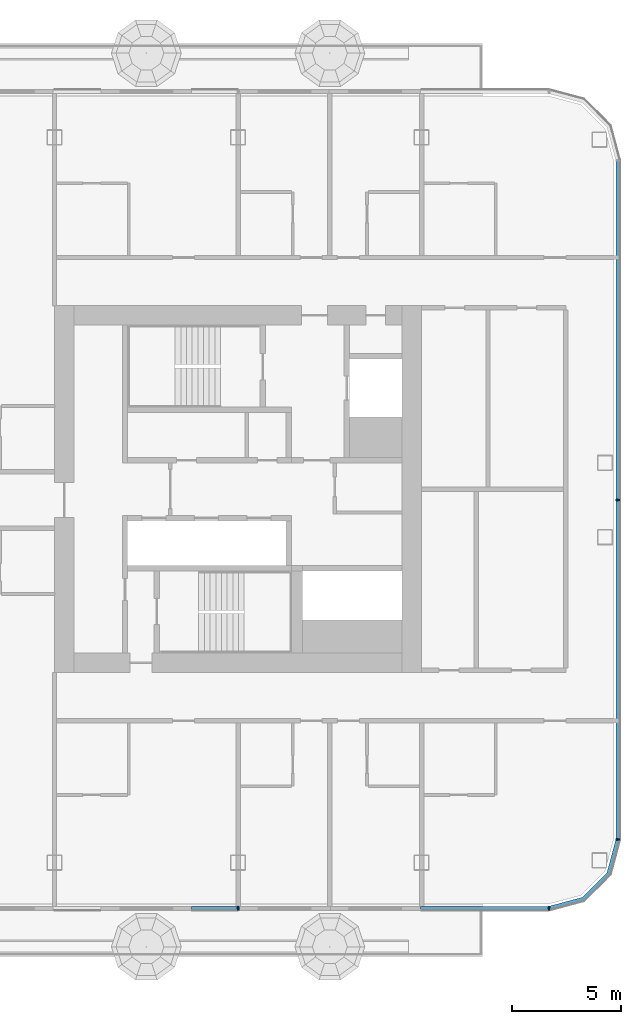
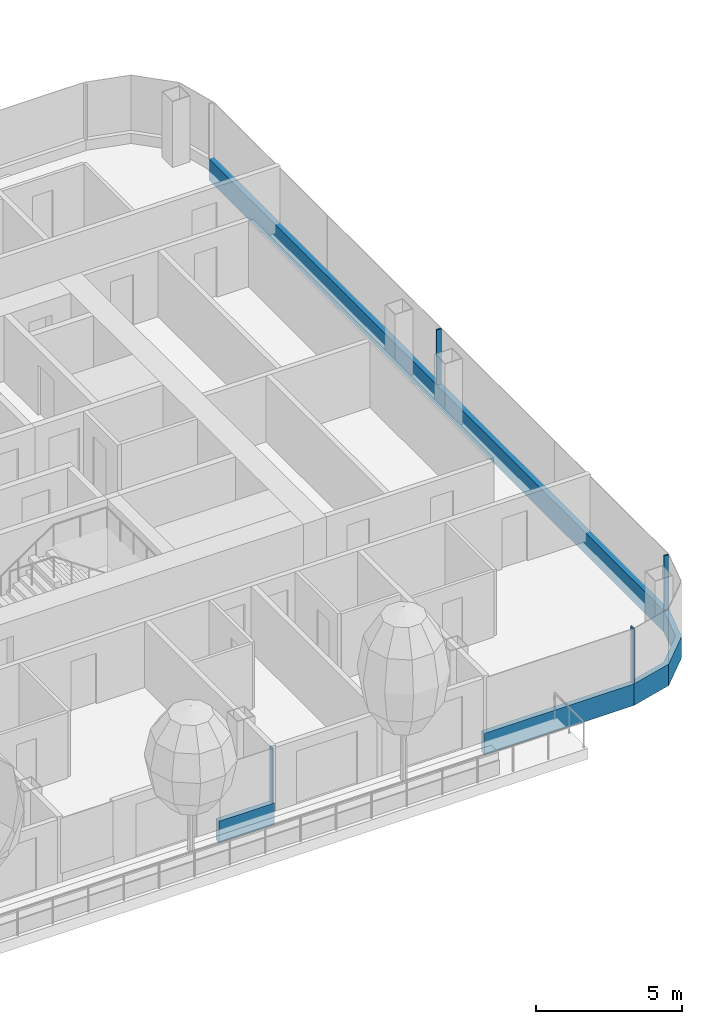
# One storey, part 7 of 30: 8 members, 3 elements without a shape of their own.
"""IFC4 building model written with IfcOpenShell, lengths in metres."""

import ifcopenshell
import ifcopenshell.guid

model = None  # the IFC model being written
_history = None  # IfcOwnerHistory: only IFC2X3 demands one
_inside = {}  # id of a spatial element -> (the spatial element, [elements in it])
_under = {}  # id of a project, library or spatial element -> (it, [spatial elements below it])
_declared = {}  # id of a project -> (the project, [libraries it declares])
_typed = {}  # id of a type object -> (the type object, [elements of that type])
_made_of = {}  # id of a material, layer set ... -> (it, [elements and type objects made of it])


def new_model(schema):
    """Start an empty IFC model of exactly this schema.

    Asked for "IFC4X3", IfcOpenShell would pick the latest addendum, in which some entities
    have other attributes; the version numbers below select the first issue.
    IFC2X3 requires an IfcOwnerHistory on every rooted entity: one is made here for all.
    """
    global model, _history
    if schema == "IFC4X3":
        model = ifcopenshell.file(schema_version=(4, 3, 0, 0))
    else:
        model = ifcopenshell.file(schema=schema)
    _inside.clear()
    _under.clear()
    _declared.clear()
    _typed.clear()
    _made_of.clear()
    _history = None
    if model.schema == "IFC2X3":
        org = make("IfcOrganization", Name="unknown")
        user = make(
            "IfcPersonAndOrganization",
            ThePerson=make("IfcPerson", FamilyName="unknown"),
            TheOrganization=org,
        )
        app = make(
            "IfcApplication",
            ApplicationDeveloper=org,
            Version="unknown",
            ApplicationFullName="unknown",
            ApplicationIdentifier="unknown",
        )
        _history = make(
            "IfcOwnerHistory",
            OwningUser=user,
            OwningApplication=app,
            ChangeAction="ADDED",
            CreationDate=0,
        )
    return model


def make(cls, **values):
    """One entity of the class cls with the attributes given. An attribute that is None is left unset."""
    return model.create_entity(
        cls, **{name: value for name, value in values.items() if value is not None}
    )


def rooted(cls, **values):
    """An entity with a GlobalId (a new one), such as an element, a storey or a relation."""
    return make(cls, GlobalId=ifcopenshell.guid.new(), OwnerHistory=_history, **values)


def si_unit(unit_type, name, prefix=None):
    """IfcSIUnit, for example si_unit("LENGTHUNIT", "METRE", prefix="MILLI")."""
    return make("IfcSIUnit", UnitType=unit_type, Prefix=prefix, Name=name)


def assignment(units):
    """IfcUnitAssignment: the units of a project."""
    return None if units is None else make("IfcUnitAssignment", Units=units)


def point(xyz):
    """IfcCartesianPoint."""
    return None if xyz is None else make("IfcCartesianPoint", Coordinates=xyz)


def direction(xyz):
    """IfcDirection."""
    return None if xyz is None else make("IfcDirection", DirectionRatios=xyz)


def frame(location, z_axis=None, x_axis=None):
    """IfcAxis2Placement3D, a coordinate frame: its origin and axes. An axis left out is left unset."""
    return make(
        "IfcAxis2Placement3D",
        Location=point(location),
        Axis=direction(z_axis),
        RefDirection=direction(x_axis),
    )


def frame_2d(location, x_axis=None):
    """IfcAxis2Placement2D, a coordinate frame in the plane: its origin and x axis."""
    return make(
        "IfcAxis2Placement2D", Location=point(location), RefDirection=direction(x_axis)
    )


def origin():
    """The frame at (0, 0, 0) with its axes left unset."""
    return frame((0.0, 0.0, 0.0))


def origin_2d():
    """The frame at (0, 0) in the plane with its x axis left unset."""
    return frame_2d((0.0, 0.0))


def place(relative_to, where):
    """IfcLocalPlacement: puts the frame where relative to a parent placement (None: the world)."""
    return make(
        "IfcLocalPlacement", PlacementRelTo=relative_to, RelativePlacement=where
    )


def context(
    kind, dimensions, precision=None, world=None, true_north=None, identifier=None
):
    """IfcGeometricRepresentationContext, for example the 3D "Model" context."""
    return make(
        "IfcGeometricRepresentationContext",
        ContextIdentifier=identifier,
        ContextType=kind,
        CoordinateSpaceDimension=dimensions,
        Precision=precision,
        WorldCoordinateSystem=world,
        TrueNorth=true_north,
    )


def subcontext(parent, identifier, kind, view, scale=None):
    """IfcGeometricRepresentationSubContext, for example "Body" below "Model"."""
    return make(
        "IfcGeometricRepresentationSubContext",
        ContextIdentifier=identifier,
        ContextType=kind,
        ParentContext=parent,
        TargetScale=scale,
        TargetView=view,
    )


def project(units=None, contexts=None):
    """IfcProject with its units and contexts."""
    return rooted(
        "IfcProject",
        Name="project",
        RepresentationContexts=contexts,
        UnitsInContext=assignment(units),
    )


def spatial(cls, under=None, at=None, **own):
    """A site, building, storey or space (cls), placed at a placement, below another one or the project."""
    s = rooted(cls, ObjectPlacement=at, **own)
    if under is not None:
        _under.setdefault(under.id(), (under, []))[1].append(s)
    return s


def polyline(points):
    """IfcPolyline through the points."""
    return make("IfcPolyline", Points=[point(p) for p in points])


def profile(cls, at=None, kind="AREA", **sizes):
    """A parametric profile (cls). Its sizes go by their IFC names, for example OverallWidth=200.0."""
    return make(cls, ProfileType=kind, Position=at, **sizes)


def rectangle(**sizes):
    """IfcRectangleProfileDef."""
    return profile("IfcRectangleProfileDef", **sizes)


def outline(outer, holes=None, kind="AREA"):
    """IfcArbitraryClosedProfileDef: a profile drawn as a closed curve; with holes, ...WithVoids."""
    if holes is None:
        return make("IfcArbitraryClosedProfileDef", ProfileType=kind, OuterCurve=outer)
    return make(
        "IfcArbitraryProfileDefWithVoids",
        ProfileType=kind,
        OuterCurve=outer,
        InnerCurves=holes,
    )


def extrude(swept, where, along, depth):
    """IfcExtrudedAreaSolid: the profile swept, set in the frame where, extruded along a direction by depth."""
    return make(
        "IfcExtrudedAreaSolid",
        SweptArea=swept,
        Position=where,
        ExtrudedDirection=direction(along),
        Depth=depth,
    )


def shape(context_of_items, identifier, shape_type, items):
    """IfcShapeRepresentation: the items that make up one representation, for example the "Body"."""
    return make(
        "IfcShapeRepresentation",
        ContextOfItems=context_of_items,
        RepresentationIdentifier=identifier,
        RepresentationType=shape_type,
        Items=items,
    )


def material(Name=None, Category=None):
    """IfcMaterial."""
    return make("IfcMaterial", Name=Name, Category=Category)


def layer(
    of_material, thickness, ventilated=None, Name=None, Category=None, Priority=None
):
    """IfcMaterialLayer: one layer of a wall or slab, of a material (None: an air gap)."""
    return make(
        "IfcMaterialLayer",
        Material=of_material,
        LayerThickness=thickness,
        IsVentilated=ventilated,
        Name=Name,
        Category=Category,
        Priority=Priority,
    )


def layer_set(layers, Name=None):
    """IfcMaterialLayerSet."""
    return make("IfcMaterialLayerSet", MaterialLayers=layers, LayerSetName=Name)


def material_profile(
    of_material, cross_section, Name=None, Category=None, Priority=None
):
    """IfcMaterialProfile: a cross section and its material."""
    return make(
        "IfcMaterialProfile",
        Name=Name,
        Material=of_material,
        Profile=cross_section,
        Priority=Priority,
        Category=Category,
    )


def profile_set(profiles, Name=None, composite=None):
    """IfcMaterialProfileSet."""
    return make(
        "IfcMaterialProfileSet",
        Name=Name,
        MaterialProfiles=profiles,
        CompositeProfile=composite,
    )


def made_of(thing, what):
    """Note that an element or type object is made of a material, layer set ...; save() writes the relation."""
    if what is not None:
        _made_of.setdefault(what.id(), (what, []))[1].append(thing)
    return thing


def type_object(cls, material=None, **own):
    """A type object (cls), such as IfcWallType, which elements share."""
    return made_of(rooted(cls, **own), material)


def element(
    cls,
    number,
    at=None,
    inside=None,
    cuts=None,
    type_object=None,
    material=None,
    context=None,
    identifier="Body",
    shape_type=None,
    held_by="IfcProductDefinitionShape",
    body=None,
    shapes=None,
    **own,
):
    """One element of the class cls, such as IfcWall. Its Tag is "e" and its number.

    at: its placement. inside: the storey or other place that contains it. cuts: it is an
    opening in that element (IfcRelVoidsElement). A single representation is given by context,
    identifier, shape_type and body (its items); several are given by shapes. held_by: the class
    of the entity that holds the representations. save() writes the other relations.
    """
    e = rooted(cls, Tag="e%d" % number, ObjectPlacement=at, **own)
    if body is not None:
        shapes = [shape(context, identifier, shape_type, body)]
    if shapes is not None:
        e.Representation = make(held_by, Representations=shapes)
    if inside is not None:
        _inside.setdefault(inside.id(), (inside, []))[1].append(e)
    if cuts is not None:
        rooted(
            "IfcRelVoidsElement", RelatingBuildingElement=cuts, RelatedOpeningElement=e
        )
    if type_object is not None:
        _typed.setdefault(type_object.id(), (type_object, []))[1].append(e)
    return made_of(e, material)


def aggregate(whole, parts):
    """IfcRelAggregates: a whole, such as a stair, and the parts it consists of."""
    return rooted("IfcRelAggregates", RelatingObject=whole, RelatedObjects=parts)


def save(model, path):
    """Write the relations noted so far, then the file.

    IfcRelAggregates (storeys below a building ...), IfcRelContainedInSpatialStructure (elements
    in a storey), IfcRelDefinesByType, IfcRelAssociatesMaterial and IfcRelDeclares: one each for
    every whole, place, type object, material and project.
    """
    for whole, parts in _under.values():
        aggregate(whole, parts)
    for where, things in _inside.values():
        rooted(
            "IfcRelContainedInSpatialStructure",
            RelatedElements=things,
            RelatingStructure=where,
        )
    for kind, things in _typed.values():
        rooted("IfcRelDefinesByType", RelatedObjects=things, RelatingType=kind)
    for what, things in _made_of.values():
        rooted("IfcRelAssociatesMaterial", RelatedObjects=things, RelatingMaterial=what)
    for by, libraries in _declared.values():
        rooted("IfcRelDeclares", RelatingContext=by, RelatedDefinitions=libraries)
    model.write(path)


model = new_model("IFC4")

# Units and contexts
model_context = context("Model", 3, precision=1e-05, world=origin(), true_north=direction((0.0, 1.0)))
body_context = subcontext(model_context, "Body", "Model", "MODEL_VIEW")
ifc_project = project(units=[si_unit("LENGTHUNIT", "METRE"), si_unit("AREAUNIT", "SQUARE_METRE"), si_unit("VOLUMEUNIT", "CUBIC_METRE"), si_unit("PLANEANGLEUNIT", "RADIAN"), si_unit("MASSUNIT", "GRAM", prefix="KILO")], contexts=[model_context])

# Site, building, storey
site_placement = place(None, origin())
site = spatial("IfcSite", under=ifc_project, at=site_placement, CompositionType="ELEMENT")
building_placement = place(site_placement, origin())
building = spatial("IfcBuilding", under=site, at=building_placement, Name="Hakoniwa Tower and Hamabe Station Hall", CompositionType="ELEMENT")
storey_placement = place(building_placement, frame((0.0, 0.0, 137.39990234375)))
storey = spatial("IfcBuildingStorey", under=building, at=storey_placement, Name="L38", CompositionType="ELEMENT", Elevation=137.39990234375)

# Curtain wall, member
ifc_material_1 = material(Name="Dark low-e laminated glass", Category="glass")
ifc_layer = layer(ifc_material_1, 0.199951171875)
ifc_layer_set = layer_set([ifc_layer], Name="CW-1 UNITISED GUEST")
curtain_wall_type = type_object("IfcCurtainWallType", Name="CW-1 UNITISED GUEST", PredefinedType="NOTDEFINED", material=ifc_layer_set)
curtain_wall_1_placement = place(storey_placement, origin())
curtain_wall_1 = element("IfcCurtainWall", 1, at=curtain_wall_1_placement, inside=storey, type_object=curtain_wall_type, Name="CW-1 curtain wall", PredefinedType="NOTDEFINED")
ifc_material_2 = material(Name="Aluminium 6063-T5 black anodised", Category="aluminium")
ifc_material_profile_1 = material_profile(ifc_material_2, rectangle(XDim=0.199951171875, YDim=0.89990234375, at=origin_2d()), Name="CW SLAB-EDGE BAND 900X200")
ifc_profile_set_1 = profile_set([ifc_material_profile_1], Name="Aluminium 6063-T5 black anodised")
member_type_1 = type_object("IfcMemberType", Name="CW SLAB-EDGE BAND 900X200", PredefinedType="USERDEFINED", material=ifc_profile_set_1)
member_1_placement = place(storey_placement, frame((42.60009765625, -16.03955078125, -0.099853515625), z_axis=(0.0, 1.0, 0.0), x_axis=(-1.0, 0.0, 0.0)))
member_1 = element("IfcMember", 2, at=member_1_placement, type_object=member_type_1, Name="CW-1 transom", ObjectType="TRANSOM", PredefinedType="USERDEFINED", context=body_context, shape_type="SweptSolid", body=[
    extrude(rectangle(XDim=0.199951171875, YDim=0.89990234375, at=origin_2d()), origin(), (0.0, 0.0, 1.0), 31.0791015625),
])

# Curtain wall, members
curtain_wall_2_placement = place(storey_placement, origin())
curtain_wall_2 = element("IfcCurtainWall", 3, at=curtain_wall_2_placement, inside=storey, type_object=curtain_wall_type, Name="CW-1 curtain wall", PredefinedType="NOTDEFINED")
member_2_placement = place(storey_placement, frame((23.070068359375, -19.199951171875, -0.099853515625), z_axis=(1.0, 0.0, 0.0), x_axis=(0.0, 1.0, 0.0)))
member_2 = element("IfcMember", 4, at=member_2_placement, type_object=member_type_1, Name="CW-1 transom", ObjectType="TRANSOM", PredefinedType="USERDEFINED", context=body_context, shape_type="SweptSolid", body=[
    extrude(rectangle(XDim=0.199951171875, YDim=0.89990234375, at=origin_2d()), origin(), (0.0, 0.0, 1.0), 2.18994140625),
])
member_3_placement = place(storey_placement, frame((33.5400390625, -19.199951171875, -0.099853515625), z_axis=(1.0, 0.0, 0.0), x_axis=(0.0, 1.0, 0.0)))
member_3 = element("IfcMember", 5, at=member_3_placement, type_object=member_type_1, Name="CW-1 transom", ObjectType="TRANSOM", PredefinedType="USERDEFINED", context=body_context, shape_type="SweptSolid", body=[
    extrude(rectangle(XDim=0.199951171875, YDim=0.89990234375, at=origin_2d()), origin(), (0.0, 0.0, 1.0), 5.8994140625),
])

# Curtain wall, member
curtain_wall_3_placement = place(storey_placement, origin())
curtain_wall_3 = element("IfcCurtainWall", 6, at=curtain_wall_3_placement, inside=storey, type_object=curtain_wall_type, Name="CW-1 curtain wall", PredefinedType="NOTDEFINED")
member_4_placement = place(storey_placement, frame((0.0, 0.0, -0.5498046875)))
member_4 = element("IfcMember", 7, at=member_4_placement, type_object=member_type_1, Name="CW-1 transom", ObjectType="TRANSOM", PredefinedType="USERDEFINED", context=body_context, shape_type="SweptSolid", body=[
    extrude(outline(polyline([(39.439453125, -19.300048828125), (41.05517578125, -18.866943359375), (42.26708984375, -17.6552734375), (42.699951171875, -16.03955078125), (42.5068359375, -15.98779296875), (42.087646484375, -17.5517578125), (40.95166015625, -18.687744140625), (39.3876953125, -19.10693359375), (39.439453125, -19.300048828125)])), origin(), (0.0, 0.0, 1.0), 0.89990234375),
])
aggregate(curtain_wall_3, [member_4])

# Member
ifc_material_3 = material(Name="Aluminium 6063-T5 black anodised", Category="aluminium")
ifc_material_profile_2 = material_profile(ifc_material_3, rectangle(XDim=0.06005859375, YDim=0.179931640625, at=origin_2d()), Name="CW-1 MULLION 60X180")
ifc_profile_set_2 = profile_set([ifc_material_profile_2], Name="Aluminium 6063-T5 black anodised")
member_type_2 = type_object("IfcMemberType", Name="CW-1 MULLION 60X180", PredefinedType="MULLION", material=ifc_profile_set_2)
member_5_placement = place(storey_placement, frame((42.58203125, -16.03955078125, 0.35009765625), z_axis=(0.0, 0.0, 1.0), x_axis=(0.0, 1.0, 0.0)))
member_5 = element("IfcMember", 8, at=member_5_placement, type_object=member_type_2, Name="CW-1 mullion", PredefinedType="MULLION", context=body_context, shape_type="SweptSolid", body=[
    extrude(rectangle(XDim=0.06005859375, YDim=0.179931640625, at=origin_2d()), origin(), (0.0, 0.0, 1.0), 2.300048828125),
])

member_6_placement = place(storey_placement, frame((42.58203125, -0.5, 0.35009765625), z_axis=(0.0, 0.0, 1.0), x_axis=(0.0, 1.0, 0.0)))
member_6 = element("IfcMember", 9, at=member_6_placement, type_object=member_type_2, Name="CW-1 mullion", PredefinedType="MULLION", context=body_context, shape_type="SweptSolid", body=[
    extrude(rectangle(XDim=0.06005859375, YDim=0.179931640625, at=origin_2d()), origin(), (0.0, 0.0, 1.0), 2.300048828125),
])

aggregate(curtain_wall_1, [member_5, member_6, member_1])

member_7_placement = place(storey_placement, frame((25.199951171875, -19.181884765625, 0.35009765625), z_axis=(0.0, 0.0, 1.0), x_axis=(1.0, 0.0, 0.0)))
member_7 = element("IfcMember", 10, at=member_7_placement, type_object=member_type_2, Name="CW-1 mullion", PredefinedType="MULLION", context=body_context, shape_type="SweptSolid", body=[
    extrude(rectangle(XDim=0.06005859375, YDim=0.179931640625, at=origin_2d()), origin(), (0.0, 0.0, 1.0), 2.300048828125),
])

member_8_placement = place(storey_placement, frame((39.439453125, -19.181884765625, 0.35009765625), z_axis=(0.0, 0.0, 1.0), x_axis=(1.0, 0.0, 0.0)))
member_8 = element("IfcMember", 11, at=member_8_placement, type_object=member_type_2, Name="CW-1 mullion", PredefinedType="MULLION", context=body_context, shape_type="SweptSolid", body=[
    extrude(rectangle(XDim=0.06005859375, YDim=0.179931640625, at=origin_2d()), origin(), (0.0, 0.0, 1.0), 2.300048828125),
])

aggregate(curtain_wall_2, [member_7, member_8, member_2, member_3])

save(model, "model.ifc")
